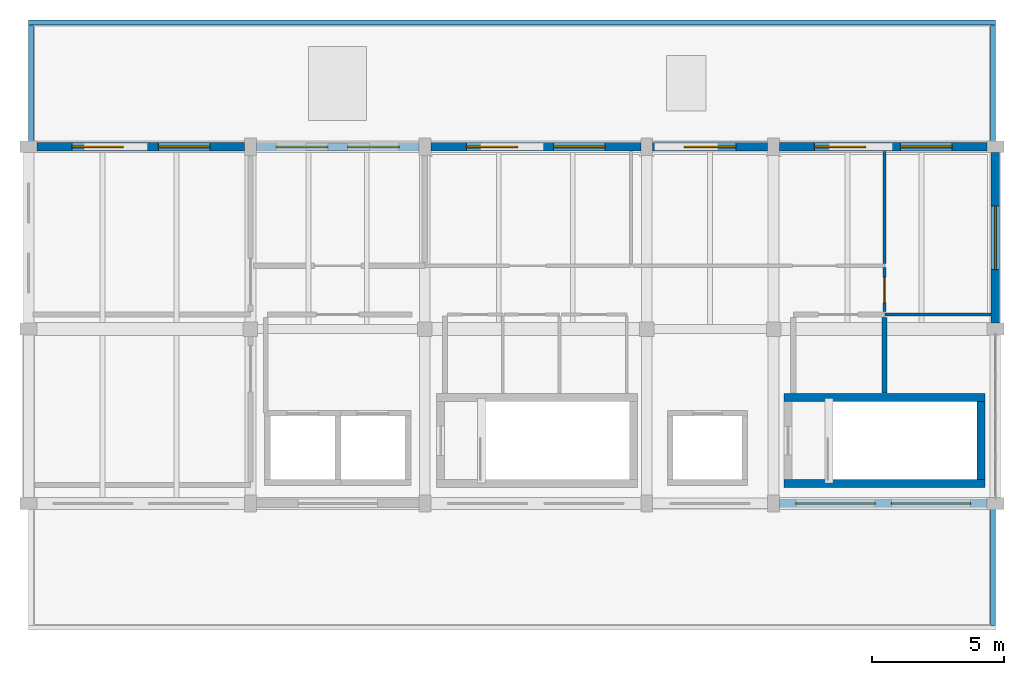
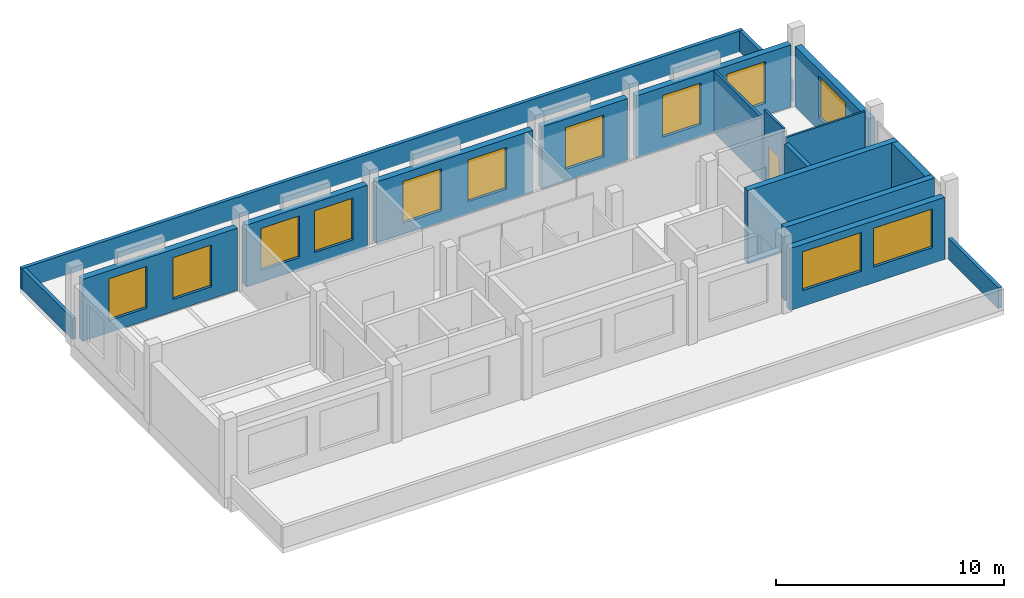
# One storey, part 5 of 6: 18 walls, 12 windows, 1 door, 13 openings.
"""IFC4 building model written with IfcOpenShell, lengths in metres."""

from ifc_helpers import new_model, si_unit, direction, frame, frame_2d, origin, place, context, subcontext, project, spatial, rectangle, extrude, material, layer, layer_set, type_object, element, fill, save


model = new_model("IFC4")

# Units and contexts
model_context = context("Model", 3, precision=1e-05, world=origin(), true_north=direction((0.0, 1.0)))
body_context = subcontext(model_context, "Body", "Model", "MODEL_VIEW")
ifc_project = project(units=[si_unit("LENGTHUNIT", "METRE"), si_unit("AREAUNIT", "SQUARE_METRE"), si_unit("VOLUMEUNIT", "CUBIC_METRE"), si_unit("PLANEANGLEUNIT", "RADIAN"), si_unit("MASSUNIT", "GRAM", prefix="KILO")], contexts=[model_context])

# Site, building, storey
site_placement = place(None, origin())
site = spatial("IfcSite", under=ifc_project, at=site_placement, CompositionType="ELEMENT")
building_placement = place(site_placement, origin())
building = spatial("IfcBuilding", under=site, at=building_placement, Name="Dornvale Research Institute", CompositionType="ELEMENT")
storey_placement = place(building_placement, frame((0.0, 0.0, 46.800048828125)))
storey = spatial("IfcBuildingStorey", under=building, at=storey_placement, Name="L10", CompositionType="ELEMENT", Elevation=46.800048828125)

# Walls
ifc_material_1 = material(Name="Concrete f'c 40 MPa (C32/40)", Category="concrete")
ifc_layer_1 = layer(ifc_material_1, 0.179931640625)
ifc_layer_set_1 = layer_set([ifc_layer_1], Name="Concrete f'c 40 MPa (C32/40)")
wall_type_1 = type_object("IfcWallType", Name="Parapet_Terrace_180", PredefinedType="PARAPET", material=ifc_layer_set_1)
wall_1_placement = place(storey_placement, frame((41.31005859375, 99.179931640625, 0.0), z_axis=(0.0, 0.0, 1.0), x_axis=(0.0, 1.0, 0.0)))
element("IfcWall", 1, at=wall_1_placement, inside=storey, type_object=wall_type_1, Name="L10 L10APR-S parapet E", PredefinedType="PARAPET", context=body_context, shape_type="SweptSolid", body=[
    extrude(rectangle(XDim=4.440185546875, YDim=0.179931640625, at=frame_2d((2.22021484375, 0.0))), origin(), (0.0, 0.0, 1.0), 1.119873046875),
])
wall_2_placement = place(storey_placement, frame((4.800048828125, 122.010009765625, 0.0), z_axis=(0.0, 0.0, 1.0), x_axis=(1.0, 0.0, 0.0)))
element("IfcWall", 2, at=wall_2_placement, inside=storey, type_object=wall_type_1, Name="L10 L10APR-N parapet N", PredefinedType="PARAPET", context=body_context, shape_type="SweptSolid", body=[
    extrude(rectangle(XDim=36.599853515625, YDim=0.179931640625, at=frame_2d((18.2998046875, 0.0))), origin(), (0.0, 0.0, 1.0), 1.119873046875),
])
for number, where, z_axis, x_axis, name in (
    (3, (4.889892578125, 117.47998046875, 0.0), (0.0, 0.0, 1.0), (0.0, 1.0, 0.0), "L10 L10APR-N parapet W"),
    (4, (41.31005859375, 117.47998046875, 0.0), (0.0, 0.0, 1.0), (0.0, 1.0, 0.0), "L10 L10APR-N parapet E"),
):
    element("IfcWall", number, at=place(storey_placement, frame(where, z_axis=z_axis, x_axis=x_axis)), inside=storey, type_object=wall_type_1, Name=name, PredefinedType="PARAPET", context=body_context, shape_type="SweptSolid", body=[
        extrude(rectangle(XDim=4.43994140625, YDim=0.179931640625, at=frame_2d((2.219970703125, 0.0))), origin(), (0.0, 0.0, 1.0), 1.119873046875),
    ])
ifc_material_2 = material(Name="Acoustic Insulated Double-Stud Laboratory Partition")
ifc_layer_2 = layer(ifc_material_2, 0.1201171875)
ifc_layer_set_2 = layer_set([ifc_layer_2], Name="Acoustic Insulated Double-Stud Laboratory Partition")
wall_type_2 = type_object("IfcWallType", Name="Partition_Dry_120", PredefinedType="PARTITIONING", material=ifc_layer_set_2)
wall_3_placement = place(storey_placement, frame((37.199951171875, 112.875, 0.0), z_axis=(0.0, 0.0, 1.0), x_axis=(0.0, 1.0, 0.0)))
element("IfcWall", 5, at=wall_3_placement, inside=storey, type_object=wall_type_2, Name="L10 V5 interior partition #623", PredefinedType="PARTITIONING", context=body_context, shape_type="SweptSolid", body=[
    extrude(rectangle(XDim=4.25, YDim=0.1201171875, at=frame_2d((2.125, 0.0))), origin(), (0.0, 0.0, 1.0), 3.329833984375),
])
ifc_material_3 = material(Name="Fire-Rated Gypsum Board on Cold-Formed Steel Studs", Category="steel")
ifc_layer_3 = layer(ifc_material_3, 0.199951171875)
ifc_layer_set_3 = layer_set([ifc_layer_3], Name="Fire-Rated Gypsum Board on Cold-Formed Steel Studs")
wall_type_3 = type_object("IfcWallType", Name="Partition_FireWall_200", PredefinedType="PARTITIONING", material=ifc_layer_set_3)
wall_4_placement = place(storey_placement, frame((37.199951171875, 107.97998046875, 0.0), z_axis=(0.0, 0.0, 1.0), x_axis=(0.0, 1.0, 0.0)))
element("IfcWall", 6, at=wall_4_placement, inside=storey, type_object=wall_type_3, Name="L10 V5 interior partition #616", PredefinedType="PARTITIONING", context=body_context, shape_type="SweptSolid", body=[
    extrude(rectangle(XDim=2.85498046875, YDim=0.199951171875, at=frame_2d((1.427490234375, 0.0))), origin(), (0.0, 0.0, 1.0), 3.22998046875),
])
ifc_material_4 = material(Name="Acoustic Insulated Double-Stud Laboratory Partition")
ifc_layer_4 = layer(ifc_material_4, 0.10009765625)
ifc_layer_set_4 = layer_set([ifc_layer_4], Name="Acoustic Insulated Double-Stud Laboratory Partition")
wall_type_4 = type_object("IfcWallType", Name="Partition_Office_100", PredefinedType="PARTITIONING", material=ifc_layer_set_4)
wall_5_placement = place(storey_placement, frame((37.215087890625, 110.949951171875, 0.0), z_axis=(0.0, 0.0, 1.0), x_axis=(1.0, 0.0, 0.0)))
element("IfcWall", 7, at=wall_5_placement, inside=storey, type_object=wall_type_4, Name="L10 V5 interior partition #624", PredefinedType="PARTITIONING", context=body_context, shape_type="SweptSolid", body=[
    extrude(rectangle(XDim=4.010009765625, YDim=0.10009765625, at=frame_2d((2.0048828125, 0.0))), origin(), (0.0, 0.0, 1.0), 3.47998046875),
])

# Wall, opening, door
wall_6_placement = place(storey_placement, frame((37.199951171875, 111.06494140625, 0.0), z_axis=(0.0, 0.0, 1.0), x_axis=(0.0, 1.0, 0.0)))
wall_6 = element("IfcWall", 8, at=wall_6_placement, inside=storey, type_object=wall_type_4, Name="L10 V5 interior partition #625", PredefinedType="PARTITIONING", context=body_context, shape_type="SweptSolid", body=[
    extrude(rectangle(XDim=1.66015625, YDim=0.10009765625, at=frame_2d((0.830078125, 0.0))), origin(), (0.0, 0.0, 1.0), 3.89990234375),
])
opening_1_placement = place(wall_6_placement, frame((0.3349609375, 0.0, 0.0)))
opening_1 = element("IfcOpeningElement", 9, at=opening_1_placement, cuts=wall_6, Name="Opening ID-22", PredefinedType="OPENING", context=body_context, shape_type="SweptSolid", body=[
    extrude(rectangle(XDim=0.9599609375, YDim=2.14990234375, at=frame_2d((0.47998046875, 1.074951171875))), frame((0.0, 0.06494140625, 0.0), z_axis=(0.0, -1.0, 0.0), x_axis=(1.0, 0.0, 0.0)), (0.0, 0.0, 1.0), 0.130126953125),
])
ifc_material_5 = material(Name="Phenolic-Faced Solid-Core Laboratory Door Assembly")
door_type = type_object("IfcDoorType", Name="Door_Office_960x2150", OperationType="SINGLE_SWING_LEFT", PredefinedType="DOOR", material=ifc_material_5)
door_placement = place(opening_1_placement, origin())
door = element("IfcDoor", 10, at=door_placement, inside=storey, type_object=door_type, Name="L10 Building Automation and Engineering Office door #268", OperationType="SINGLE_SWING_LEFT", OverallHeight=2.14990234375, OverallWidth=0.9599609375, PredefinedType="DOOR", context=body_context, shape_type="SweptSolid", body=[
    extrude(rectangle(XDim=0.9599609375, YDim=2.14990234375, at=frame_2d((0.47998046875, 1.074951171875))), frame((0.0, 0.02490234375, 0.0), z_axis=(0.0, -1.0, 0.0), x_axis=(1.0, 0.0, 0.0)), (0.0, 0.0, 1.0), 0.050048828125),
])
fill(opening_1, door)

# Walls
ifc_material_6 = material(Name="Concrete f'c 50 MPa (C40/50)", Category="concrete")
ifc_layer_5 = layer(ifc_material_6, 0.300048828125)
ifc_layer_set_5 = layer_set([ifc_layer_5], Name="Concrete f'c 50 MPa (C40/50)")
wall_type_5 = type_object("IfcWallType", Name="ShearWall_Core_300", PredefinedType="SHEAR", material=ifc_layer_set_5)
for number, where, z_axis, x_axis, name in (
    (11, (33.39990234375, 104.550048828125, 0.0), (0.0, 0.0, 1.0), (1.0, 0.0, 0.0), "L10 ST-2 shaft shear wall south"),
    (12, (33.39990234375, 107.81005859375, 0.0), (0.0, 0.0, 1.0), (1.0, 0.0, 0.0), "L10 ST-2 shaft shear wall north"),
):
    element("IfcWall", number, at=place(storey_placement, frame(where, z_axis=z_axis, x_axis=x_axis)), inside=storey, type_object=wall_type_5, Name=name, PredefinedType="SHEAR", context=body_context, shape_type="SweptSolid", body=[
        extrude(rectangle(XDim=7.60009765625, YDim=0.300048828125, at=frame_2d((3.800048828125, 0.0))), origin(), (0.0, 0.0, 1.0), 3.93994140625),
    ])
wall_7_placement = place(storey_placement, frame((40.85009765625, 104.699951171875, 0.0), z_axis=(0.0, 0.0, 1.0), x_axis=(0.0, 1.0, 0.0)))
element("IfcWall", 13, at=wall_7_placement, inside=storey, type_object=wall_type_5, Name="L10 ST-2 shaft shear wall east", PredefinedType="SHEAR", context=body_context, shape_type="SweptSolid", body=[
    extrude(rectangle(XDim=2.9599609375, YDim=0.300048828125, at=frame_2d((1.47998046875, 0.0))), origin(), (0.0, 0.0, 1.0), 3.93994140625),
])

# Wall, openings, windows
ifc_material_7 = material(Name="Catalan Pressed Brick and Insulated Cavity Assembly", Category="masonry")
ifc_layer_6 = layer(ifc_material_7, 0.320068359375)
ifc_layer_set_6 = layer_set([ifc_layer_6], Name="Catalan Pressed Brick and Insulated Cavity Assembly")
wall_type_6 = type_object("IfcWallType", Name="StandardWall_BrickCavity_320", PredefinedType="STANDARD", material=ifc_layer_set_6)
wall_8_placement = place(storey_placement, frame((5.125, 117.300048828125, 0.0), z_axis=(0.0, 0.0, 1.0), x_axis=(1.0, 0.0, 0.0)))
wall_8 = element("IfcWall", 14, at=wall_8_placement, inside=storey, type_object=wall_type_6, Name="L10 V5 north exterior wall #416", PredefinedType="STANDARD", context=body_context, shape_type="SweptSolid", body=[
    extrude(rectangle(XDim=7.85009765625, YDim=0.320068359375, at=frame_2d((3.925048828125, 0.0))), origin(), (0.0, 0.0, 1.0), 3.329833984375),
])
opening_2_placement = place(wall_8_placement, frame((1.316650390625, 0.0, 0.64990234375)))
opening_2 = element("IfcOpeningElement", 15, at=opening_2_placement, cuts=wall_8, Name="Opening W-42", PredefinedType="OPENING", context=body_context, shape_type="SweptSolid", body=[
    extrude(rectangle(XDim=1.949951171875, YDim=2.239990234375, at=frame_2d((0.97509765625, 1.1201171875))), frame((0.0, 0.175048828125, 0.0), z_axis=(0.0, -1.0, 0.0), x_axis=(1.0, 0.0, 0.0)), (0.0, 0.0, 1.0), 0.35009765625),
])
opening_3_placement = place(wall_8_placement, frame((4.58349609375, 0.0, 0.64990234375)))
opening_3 = element("IfcOpeningElement", 16, at=opening_3_placement, cuts=wall_8, Name="Opening W-42", PredefinedType="OPENING", context=body_context, shape_type="SweptSolid", body=[
    extrude(rectangle(XDim=1.949951171875, YDim=2.239990234375, at=frame_2d((0.97509765625, 1.1201171875))), frame((0.0, 0.175048828125, 0.0), z_axis=(0.0, -1.0, 0.0), x_axis=(1.0, 0.0, 0.0)), (0.0, 0.0, 1.0), 0.35009765625),
])
ifc_material_8 = material(Name="Low-E Argon Double Insulating Glazing Unit", Category="glass")
window_type_1 = type_object("IfcWindowType", Name="Window_Alu_1950x2240_42", PartitioningType="DOUBLE_PANEL_VERTICAL", PredefinedType="WINDOW", material=ifc_material_8)
window_1_placement = place(opening_2_placement, origin())
window_1 = element("IfcWindow", 17, at=window_1_placement, inside=storey, type_object=window_type_1, Name="L10 V5 facade window W-42 #554", OverallHeight=2.239990234375, OverallWidth=1.949951171875, PartitioningType="DOUBLE_PANEL_VERTICAL", PredefinedType="WINDOW", context=body_context, shape_type="SweptSolid", body=[
    extrude(rectangle(XDim=1.949951171875, YDim=2.239990234375, at=frame_2d((0.97509765625, 1.1201171875))), frame((0.0, 0.030029296875, 0.0), z_axis=(0.0, -1.0, 0.0), x_axis=(1.0, 0.0, 0.0)), (0.0, 0.0, 1.0), 0.06005859375),
])
fill(opening_2, window_1)
window_2_placement = place(opening_3_placement, origin())
window_2 = element("IfcWindow", 18, at=window_2_placement, inside=storey, type_object=window_type_1, Name="L10 V5 facade window W-42 #555", OverallHeight=2.239990234375, OverallWidth=1.949951171875, PartitioningType="DOUBLE_PANEL_VERTICAL", PredefinedType="WINDOW", context=body_context, shape_type="SweptSolid", body=[
    extrude(rectangle(XDim=1.949951171875, YDim=2.239990234375, at=frame_2d((0.97509765625, 1.1201171875))), frame((0.0, 0.030029296875, 0.0), z_axis=(0.0, -1.0, 0.0), x_axis=(1.0, 0.0, 0.0)), (0.0, 0.0, 1.0), 0.06005859375),
])
fill(opening_3, window_2)

wall_9_placement = place(storey_placement, frame((13.425048828125, 117.300048828125, 0.0), z_axis=(0.0, 0.0, 1.0), x_axis=(1.0, 0.0, 0.0)))
wall_9 = element("IfcWall", 19, at=wall_9_placement, inside=storey, type_object=wall_type_6, Name="L10 V5 north exterior wall #417", PredefinedType="STANDARD", context=body_context, shape_type="SweptSolid", body=[
    extrude(rectangle(XDim=6.14990234375, YDim=0.320068359375, at=frame_2d((3.074951171875, 0.0))), origin(), (0.0, 0.0, 1.0), 3.329833984375),
])
opening_4_placement = place(wall_9_placement, frame((0.75, 0.0, 0.64990234375)))
opening_4 = element("IfcOpeningElement", 20, at=opening_4_placement, cuts=wall_9, Name="Opening W-42", PredefinedType="OPENING", context=body_context, shape_type="SweptSolid", body=[
    extrude(rectangle(XDim=1.949951171875, YDim=2.239990234375, at=frame_2d((0.97509765625, 1.1201171875))), frame((0.0, 0.175048828125, 0.0), z_axis=(0.0, -1.0, 0.0), x_axis=(1.0, 0.0, 0.0)), (0.0, 0.0, 1.0), 0.35009765625),
])
opening_5_placement = place(wall_9_placement, frame((3.449951171875, 0.0, 0.64990234375)))
opening_5 = element("IfcOpeningElement", 21, at=opening_5_placement, cuts=wall_9, Name="Opening W-42", PredefinedType="OPENING", context=body_context, shape_type="SweptSolid", body=[
    extrude(rectangle(XDim=1.949951171875, YDim=2.239990234375, at=frame_2d((0.97509765625, 1.1201171875))), frame((0.0, 0.175048828125, 0.0), z_axis=(0.0, -1.0, 0.0), x_axis=(1.0, 0.0, 0.0)), (0.0, 0.0, 1.0), 0.35009765625),
])
window_3_placement = place(opening_4_placement, origin())
window_3 = element("IfcWindow", 22, at=window_3_placement, inside=storey, type_object=window_type_1, Name="L10 V5 facade window W-42 #556", OverallHeight=2.239990234375, OverallWidth=1.949951171875, PartitioningType="DOUBLE_PANEL_VERTICAL", PredefinedType="WINDOW", context=body_context, shape_type="SweptSolid", body=[
    extrude(rectangle(XDim=1.949951171875, YDim=2.239990234375, at=frame_2d((0.97509765625, 1.1201171875))), frame((0.0, 0.030029296875, 0.0), z_axis=(0.0, -1.0, 0.0), x_axis=(1.0, 0.0, 0.0)), (0.0, 0.0, 1.0), 0.06005859375),
])
fill(opening_4, window_3)
window_4_placement = place(opening_5_placement, origin())
window_4 = element("IfcWindow", 23, at=window_4_placement, inside=storey, type_object=window_type_1, Name="L10 V5 facade window W-42 #557", OverallHeight=2.239990234375, OverallWidth=1.949951171875, PartitioningType="DOUBLE_PANEL_VERTICAL", PredefinedType="WINDOW", context=body_context, shape_type="SweptSolid", body=[
    extrude(rectangle(XDim=1.949951171875, YDim=2.239990234375, at=frame_2d((0.97509765625, 1.1201171875))), frame((0.0, 0.030029296875, 0.0), z_axis=(0.0, -1.0, 0.0), x_axis=(1.0, 0.0, 0.0)), (0.0, 0.0, 1.0), 0.06005859375),
])
fill(opening_5, window_4)

wall_10_placement = place(storey_placement, frame((20.02490234375, 117.300048828125, 0.0), z_axis=(0.0, 0.0, 1.0), x_axis=(1.0, 0.0, 0.0)))
wall_10 = element("IfcWall", 24, at=wall_10_placement, inside=storey, type_object=wall_type_6, Name="L10 V5 north exterior wall #418", PredefinedType="STANDARD", context=body_context, shape_type="SweptSolid", body=[
    extrude(rectangle(XDim=7.9501953125, YDim=0.320068359375, at=frame_2d((3.97509765625, 0.0))), origin(), (0.0, 0.0, 1.0), 3.329833984375),
])
opening_6_placement = place(wall_10_placement, frame((1.35009765625, 0.0, 0.64990234375)))
opening_6 = element("IfcOpeningElement", 25, at=opening_6_placement, cuts=wall_10, Name="Opening W-42", PredefinedType="OPENING", context=body_context, shape_type="SweptSolid", body=[
    extrude(rectangle(XDim=1.949951171875, YDim=2.239990234375, at=frame_2d((0.97509765625, 1.1201171875))), frame((0.0, 0.175048828125, 0.0), z_axis=(0.0, -1.0, 0.0), x_axis=(1.0, 0.0, 0.0)), (0.0, 0.0, 1.0), 0.35009765625),
])
opening_7_placement = place(wall_10_placement, frame((4.64990234375, 0.0, 0.64990234375)))
opening_7 = element("IfcOpeningElement", 26, at=opening_7_placement, cuts=wall_10, Name="Opening W-42", PredefinedType="OPENING", context=body_context, shape_type="SweptSolid", body=[
    extrude(rectangle(XDim=1.949951171875, YDim=2.239990234375, at=frame_2d((0.97509765625, 1.1201171875))), frame((0.0, 0.175048828125, 0.0), z_axis=(0.0, -1.0, 0.0), x_axis=(1.0, 0.0, 0.0)), (0.0, 0.0, 1.0), 0.35009765625),
])
window_5_placement = place(opening_6_placement, origin())
window_5 = element("IfcWindow", 27, at=window_5_placement, inside=storey, type_object=window_type_1, Name="L10 V5 facade window W-42 #558", OverallHeight=2.239990234375, OverallWidth=1.949951171875, PartitioningType="DOUBLE_PANEL_VERTICAL", PredefinedType="WINDOW", context=body_context, shape_type="SweptSolid", body=[
    extrude(rectangle(XDim=1.949951171875, YDim=2.239990234375, at=frame_2d((0.97509765625, 1.1201171875))), frame((0.0, 0.030029296875, 0.0), z_axis=(0.0, -1.0, 0.0), x_axis=(1.0, 0.0, 0.0)), (0.0, 0.0, 1.0), 0.06005859375),
])
fill(opening_6, window_5)
window_6_placement = place(opening_7_placement, origin())
window_6 = element("IfcWindow", 28, at=window_6_placement, inside=storey, type_object=window_type_1, Name="L10 V5 facade window W-42 #559", OverallHeight=2.239990234375, OverallWidth=1.949951171875, PartitioningType="DOUBLE_PANEL_VERTICAL", PredefinedType="WINDOW", context=body_context, shape_type="SweptSolid", body=[
    extrude(rectangle(XDim=1.949951171875, YDim=2.239990234375, at=frame_2d((0.97509765625, 1.1201171875))), frame((0.0, 0.030029296875, 0.0), z_axis=(0.0, -1.0, 0.0), x_axis=(1.0, 0.0, 0.0)), (0.0, 0.0, 1.0), 0.06005859375),
])
fill(opening_7, window_6)

# Wall, opening, window
wall_11_placement = place(storey_placement, frame((28.425048828125, 117.300048828125, 0.0), z_axis=(0.0, 0.0, 1.0), x_axis=(1.0, 0.0, 0.0)))
wall_11 = element("IfcWall", 29, at=wall_11_placement, inside=storey, type_object=wall_type_6, Name="L10 V5 north exterior wall #419", PredefinedType="STANDARD", context=body_context, shape_type="SweptSolid", body=[
    extrude(rectangle(XDim=4.349853515625, YDim=0.320068359375, at=frame_2d((2.1748046875, 0.0))), origin(), (0.0, 0.0, 1.0), 3.349853515625),
])
opening_8_placement = place(wall_11_placement, frame((1.199951171875, 0.0, 0.64990234375)))
opening_8 = element("IfcOpeningElement", 30, at=opening_8_placement, cuts=wall_11, Name="Opening W-42", PredefinedType="OPENING", context=body_context, shape_type="SweptSolid", body=[
    extrude(rectangle(XDim=1.949951171875, YDim=2.239990234375, at=frame_2d((0.97509765625, 1.1201171875))), frame((0.0, 0.175048828125, 0.0), z_axis=(0.0, -1.0, 0.0), x_axis=(1.0, 0.0, 0.0)), (0.0, 0.0, 1.0), 0.35009765625),
])
window_7_placement = place(opening_8_placement, origin())
window_7 = element("IfcWindow", 31, at=window_7_placement, inside=storey, type_object=window_type_1, Name="L10 V5 facade window W-42 #560", OverallHeight=2.239990234375, OverallWidth=1.949951171875, PartitioningType="DOUBLE_PANEL_VERTICAL", PredefinedType="WINDOW", context=body_context, shape_type="SweptSolid", body=[
    extrude(rectangle(XDim=1.949951171875, YDim=2.239990234375, at=frame_2d((0.97509765625, 1.1201171875))), frame((0.0, 0.030029296875, 0.0), z_axis=(0.0, -1.0, 0.0), x_axis=(1.0, 0.0, 0.0)), (0.0, 0.0, 1.0), 0.06005859375),
])
fill(opening_8, window_7)

# Wall, openings, windows
wall_12_placement = place(storey_placement, frame((33.22509765625, 117.300048828125, 0.0), z_axis=(0.0, 0.0, 1.0), x_axis=(1.0, 0.0, 0.0)))
wall_12 = element("IfcWall", 32, at=wall_12_placement, inside=storey, type_object=wall_type_6, Name="L10 V5 north exterior wall #420", PredefinedType="STANDARD", context=body_context, shape_type="SweptSolid", body=[
    extrude(rectangle(XDim=7.849853515625, YDim=0.320068359375, at=frame_2d((3.9248046875, 0.0))), origin(), (0.0, 0.0, 1.0), 3.329833984375),
])
opening_9_placement = place(wall_12_placement, frame((1.316650390625, 0.0, 0.64990234375)))
opening_9 = element("IfcOpeningElement", 33, at=opening_9_placement, cuts=wall_12, Name="Opening W-42", PredefinedType="OPENING", context=body_context, shape_type="SweptSolid", body=[
    extrude(rectangle(XDim=1.949951171875, YDim=2.239990234375, at=frame_2d((0.97509765625, 1.1201171875))), frame((0.0, 0.175048828125, 0.0), z_axis=(0.0, -1.0, 0.0), x_axis=(1.0, 0.0, 0.0)), (0.0, 0.0, 1.0), 0.35009765625),
])
opening_10_placement = place(wall_12_placement, frame((4.58349609375, 0.0, 0.64990234375)))
opening_10 = element("IfcOpeningElement", 34, at=opening_10_placement, cuts=wall_12, Name="Opening W-42", PredefinedType="OPENING", context=body_context, shape_type="SweptSolid", body=[
    extrude(rectangle(XDim=1.949951171875, YDim=2.239990234375, at=frame_2d((0.97509765625, 1.1201171875))), frame((0.0, 0.175048828125, 0.0), z_axis=(0.0, -1.0, 0.0), x_axis=(1.0, 0.0, 0.0)), (0.0, 0.0, 1.0), 0.35009765625),
])
window_8_placement = place(opening_9_placement, origin())
window_8 = element("IfcWindow", 35, at=window_8_placement, inside=storey, type_object=window_type_1, Name="L10 V5 facade window W-42 #561", OverallHeight=2.239990234375, OverallWidth=1.949951171875, PartitioningType="DOUBLE_PANEL_VERTICAL", PredefinedType="WINDOW", context=body_context, shape_type="SweptSolid", body=[
    extrude(rectangle(XDim=1.949951171875, YDim=2.239990234375, at=frame_2d((0.97509765625, 1.1201171875))), frame((0.0, 0.030029296875, 0.0), z_axis=(0.0, -1.0, 0.0), x_axis=(1.0, 0.0, 0.0)), (0.0, 0.0, 1.0), 0.06005859375),
])
fill(opening_9, window_8)
window_9_placement = place(opening_10_placement, origin())
window_9 = element("IfcWindow", 36, at=window_9_placement, inside=storey, type_object=window_type_1, Name="L10 V5 facade window W-42 #562", OverallHeight=2.239990234375, OverallWidth=1.949951171875, PartitioningType="DOUBLE_PANEL_VERTICAL", PredefinedType="WINDOW", context=body_context, shape_type="SweptSolid", body=[
    extrude(rectangle(XDim=1.949951171875, YDim=2.239990234375, at=frame_2d((0.97509765625, 1.1201171875))), frame((0.0, 0.030029296875, 0.0), z_axis=(0.0, -1.0, 0.0), x_axis=(1.0, 0.0, 0.0)), (0.0, 0.0, 1.0), 0.06005859375),
])
fill(opening_10, window_9)

# Wall, opening, window
wall_13_placement = place(storey_placement, frame((41.39990234375, 117.074951171875, 0.0), z_axis=(0.0, 0.0, 1.0), x_axis=(0.0, -1.0, 0.0)))
wall_13 = element("IfcWall", 37, at=wall_13_placement, inside=storey, type_object=wall_type_6, Name="L10 V5 east exterior wall #421", PredefinedType="STANDARD", context=body_context, shape_type="SweptSolid", body=[
    extrude(rectangle(XDim=6.449951171875, YDim=0.320068359375, at=frame_2d((3.22509765625, 0.0))), origin(), (0.0, 0.0, 1.0), 3.22998046875),
])
opening_11_placement = place(wall_13_placement, frame((2.02490234375, 0.0, 0.64990234375)))
opening_11 = element("IfcOpeningElement", 38, at=opening_11_placement, cuts=wall_13, Name="Opening W-45", PredefinedType="OPENING", context=body_context, shape_type="SweptSolid", body=[
    extrude(rectangle(XDim=2.39990234375, YDim=2.239990234375, at=frame_2d((1.199951171875, 1.1201171875))), frame((0.0, 0.175048828125, 0.0), z_axis=(0.0, -1.0, 0.0), x_axis=(1.0, 0.0, 0.0)), (0.0, 0.0, 1.0), 0.35009765625),
])
ifc_material_9 = material(Name="Low-E Argon Double Insulating Glazing Unit", Category="glass")
window_type_2 = type_object("IfcWindowType", Name="Window_Alu_2400x2240_45", PartitioningType="DOUBLE_PANEL_VERTICAL", PredefinedType="WINDOW", material=ifc_material_9)
window_10_placement = place(opening_11_placement, origin())
window_10 = element("IfcWindow", 39, at=window_10_placement, inside=storey, type_object=window_type_2, Name="L10 V5 facade window W-45 #563", OverallHeight=2.239990234375, OverallWidth=2.39990234375, PartitioningType="DOUBLE_PANEL_VERTICAL", PredefinedType="WINDOW", context=body_context, shape_type="SweptSolid", body=[
    extrude(rectangle(XDim=2.39990234375, YDim=2.239990234375, at=frame_2d((1.199951171875, 1.1201171875))), frame((0.0, 0.030029296875, 0.0), z_axis=(0.0, -1.0, 0.0), x_axis=(1.0, 0.0, 0.0)), (0.0, 0.0, 1.0), 0.06005859375),
])
fill(opening_11, window_10)

# Wall, openings, windows
wall_14_placement = place(storey_placement, frame((41.074951171875, 103.800048828125, 0.0), z_axis=(0.0, 0.0, 1.0), x_axis=(-1.0, 0.0, 0.0)))
wall_14 = element("IfcWall", 40, at=wall_14_placement, inside=storey, type_object=wall_type_6, Name="L10 V5 south exterior wall #422", PredefinedType="STANDARD", context=body_context, shape_type="SweptSolid", body=[
    extrude(rectangle(XDim=7.849853515625, YDim=0.320068359375, at=frame_2d((3.9248046875, 0.0))), origin(), (0.0, 0.0, 1.0), 3.329833984375),
])
opening_12_placement = place(wall_14_placement, frame((0.61669921875, 0.0, 0.85009765625)))
opening_12 = element("IfcOpeningElement", 41, at=opening_12_placement, cuts=wall_14, Name="Opening W-48", PredefinedType="OPENING", context=body_context, shape_type="SweptSolid", body=[
    extrude(rectangle(XDim=3.0, YDim=2.080078125, at=frame_2d((1.5, 1.0400390625))), frame((0.0, 0.175048828125, 0.0), z_axis=(0.0, -1.0, 0.0), x_axis=(1.0, 0.0, 0.0)), (0.0, 0.0, 1.0), 0.35009765625),
])
opening_13_placement = place(wall_14_placement, frame((4.2333984375, 0.0, 0.85009765625)))
opening_13 = element("IfcOpeningElement", 42, at=opening_13_placement, cuts=wall_14, Name="Opening W-48", PredefinedType="OPENING", context=body_context, shape_type="SweptSolid", body=[
    extrude(rectangle(XDim=3.0, YDim=2.080078125, at=frame_2d((1.5, 1.0400390625))), frame((0.0, 0.175048828125, 0.0), z_axis=(0.0, -1.0, 0.0), x_axis=(1.0, 0.0, 0.0)), (0.0, 0.0, 1.0), 0.35009765625),
])
ifc_material_10 = material(Name="Low-E Argon Double Insulating Glazing Unit", Category="glass")
window_type_3 = type_object("IfcWindowType", Name="Window_Alu_3000x2080_48", PartitioningType="DOUBLE_PANEL_VERTICAL", PredefinedType="WINDOW", material=ifc_material_10)
window_11_placement = place(opening_12_placement, origin())
window_11 = element("IfcWindow", 43, at=window_11_placement, inside=storey, type_object=window_type_3, Name="L10 V5 facade window W-48 #564", OverallHeight=2.080078125, OverallWidth=3.0, PartitioningType="DOUBLE_PANEL_VERTICAL", PredefinedType="WINDOW", context=body_context, shape_type="SweptSolid", body=[
    extrude(rectangle(XDim=3.0, YDim=2.080078125, at=frame_2d((1.5, 1.0400390625))), frame((0.0, 0.030029296875, 0.0), z_axis=(0.0, -1.0, 0.0), x_axis=(1.0, 0.0, 0.0)), (0.0, 0.0, 1.0), 0.06005859375),
])
fill(opening_12, window_11)
window_12_placement = place(opening_13_placement, origin())
window_12 = element("IfcWindow", 44, at=window_12_placement, inside=storey, type_object=window_type_3, Name="L10 V5 facade window W-48 #565", OverallHeight=2.080078125, OverallWidth=3.0, PartitioningType="DOUBLE_PANEL_VERTICAL", PredefinedType="WINDOW", context=body_context, shape_type="SweptSolid", body=[
    extrude(rectangle(XDim=3.0, YDim=2.080078125, at=frame_2d((1.5, 1.0400390625))), frame((0.0, 0.030029296875, 0.0), z_axis=(0.0, -1.0, 0.0), x_axis=(1.0, 0.0, 0.0)), (0.0, 0.0, 1.0), 0.06005859375),
])
fill(opening_13, window_12)

save(model, "model.ifc")
